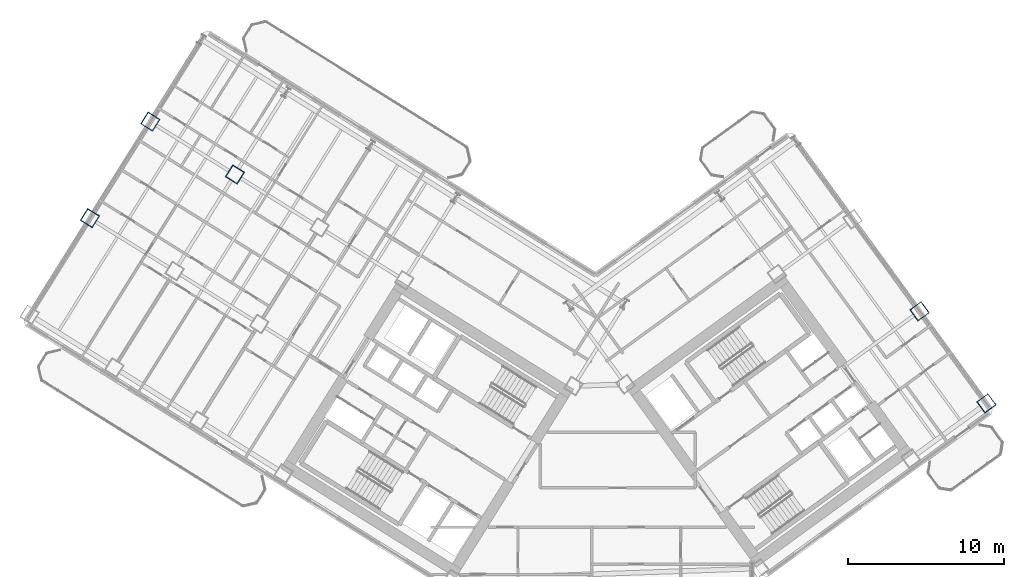
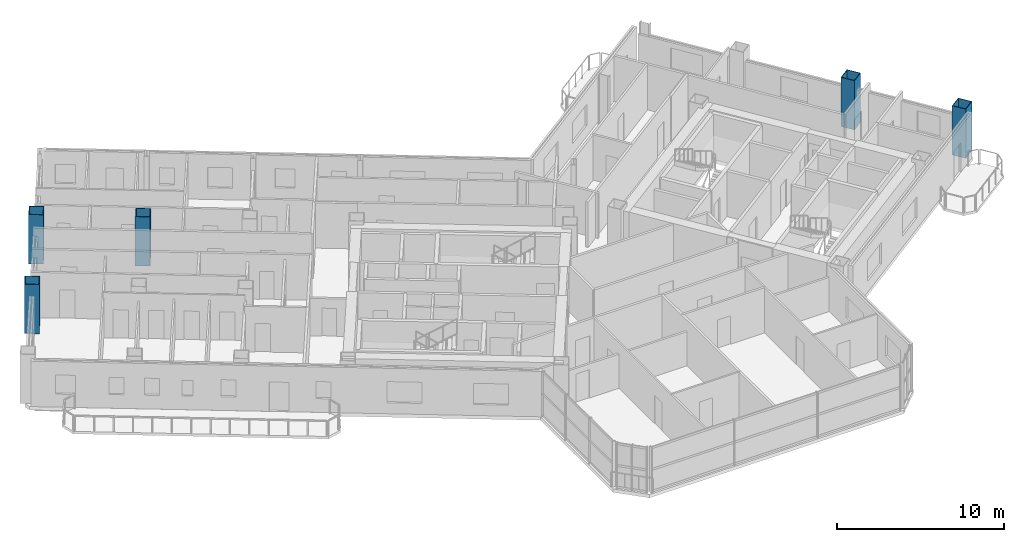
# One storey, part 2 of 22: 5 columns.
"""IFC4 building model written with IfcOpenShell, lengths in metres."""

import ifcopenshell
import ifcopenshell.guid

model = None  # the IFC model being written
_history = None  # IfcOwnerHistory: only IFC2X3 demands one
_inside = {}  # id of a spatial element -> (the spatial element, [elements in it])
_under = {}  # id of a project, library or spatial element -> (it, [spatial elements below it])
_declared = {}  # id of a project -> (the project, [libraries it declares])
_typed = {}  # id of a type object -> (the type object, [elements of that type])
_made_of = {}  # id of a material, layer set ... -> (it, [elements and type objects made of it])


def new_model(schema):
    """Start an empty IFC model of exactly this schema.

    Asked for "IFC4X3", IfcOpenShell would pick the latest addendum, in which some entities
    have other attributes; the version numbers below select the first issue.
    IFC2X3 requires an IfcOwnerHistory on every rooted entity: one is made here for all.
    """
    global model, _history
    if schema == "IFC4X3":
        model = ifcopenshell.file(schema_version=(4, 3, 0, 0))
    else:
        model = ifcopenshell.file(schema=schema)
    _inside.clear()
    _under.clear()
    _declared.clear()
    _typed.clear()
    _made_of.clear()
    _history = None
    if model.schema == "IFC2X3":
        org = make("IfcOrganization", Name="unknown")
        user = make(
            "IfcPersonAndOrganization",
            ThePerson=make("IfcPerson", FamilyName="unknown"),
            TheOrganization=org,
        )
        app = make(
            "IfcApplication",
            ApplicationDeveloper=org,
            Version="unknown",
            ApplicationFullName="unknown",
            ApplicationIdentifier="unknown",
        )
        _history = make(
            "IfcOwnerHistory",
            OwningUser=user,
            OwningApplication=app,
            ChangeAction="ADDED",
            CreationDate=0,
        )
    return model


def make(cls, **values):
    """One entity of the class cls with the attributes given. An attribute that is None is left unset."""
    return model.create_entity(
        cls, **{name: value for name, value in values.items() if value is not None}
    )


def rooted(cls, **values):
    """An entity with a GlobalId (a new one), such as an element, a storey or a relation."""
    return make(cls, GlobalId=ifcopenshell.guid.new(), OwnerHistory=_history, **values)


def si_unit(unit_type, name, prefix=None):
    """IfcSIUnit, for example si_unit("LENGTHUNIT", "METRE", prefix="MILLI")."""
    return make("IfcSIUnit", UnitType=unit_type, Prefix=prefix, Name=name)


def assignment(units):
    """IfcUnitAssignment: the units of a project."""
    return None if units is None else make("IfcUnitAssignment", Units=units)


def point(xyz):
    """IfcCartesianPoint."""
    return None if xyz is None else make("IfcCartesianPoint", Coordinates=xyz)


def direction(xyz):
    """IfcDirection."""
    return None if xyz is None else make("IfcDirection", DirectionRatios=xyz)


def frame(location, z_axis=None, x_axis=None):
    """IfcAxis2Placement3D, a coordinate frame: its origin and axes. An axis left out is left unset."""
    return make(
        "IfcAxis2Placement3D",
        Location=point(location),
        Axis=direction(z_axis),
        RefDirection=direction(x_axis),
    )


def frame_2d(location, x_axis=None):
    """IfcAxis2Placement2D, a coordinate frame in the plane: its origin and x axis."""
    return make(
        "IfcAxis2Placement2D", Location=point(location), RefDirection=direction(x_axis)
    )


def origin():
    """The frame at (0, 0, 0) with its axes left unset."""
    return frame((0.0, 0.0, 0.0))


def origin_2d():
    """The frame at (0, 0) in the plane with its x axis left unset."""
    return frame_2d((0.0, 0.0))


def place(relative_to, where):
    """IfcLocalPlacement: puts the frame where relative to a parent placement (None: the world)."""
    return make(
        "IfcLocalPlacement", PlacementRelTo=relative_to, RelativePlacement=where
    )


def context(
    kind, dimensions, precision=None, world=None, true_north=None, identifier=None
):
    """IfcGeometricRepresentationContext, for example the 3D "Model" context."""
    return make(
        "IfcGeometricRepresentationContext",
        ContextIdentifier=identifier,
        ContextType=kind,
        CoordinateSpaceDimension=dimensions,
        Precision=precision,
        WorldCoordinateSystem=world,
        TrueNorth=true_north,
    )


def subcontext(parent, identifier, kind, view, scale=None):
    """IfcGeometricRepresentationSubContext, for example "Body" below "Model"."""
    return make(
        "IfcGeometricRepresentationSubContext",
        ContextIdentifier=identifier,
        ContextType=kind,
        ParentContext=parent,
        TargetScale=scale,
        TargetView=view,
    )


def project(units=None, contexts=None):
    """IfcProject with its units and contexts."""
    return rooted(
        "IfcProject",
        Name="project",
        RepresentationContexts=contexts,
        UnitsInContext=assignment(units),
    )


def spatial(cls, under=None, at=None, **own):
    """A site, building, storey or space (cls), placed at a placement, below another one or the project."""
    s = rooted(cls, ObjectPlacement=at, **own)
    if under is not None:
        _under.setdefault(under.id(), (under, []))[1].append(s)
    return s


def profile(cls, at=None, kind="AREA", **sizes):
    """A parametric profile (cls). Its sizes go by their IFC names, for example OverallWidth=200.0."""
    return make(cls, ProfileType=kind, Position=at, **sizes)


def hollow_rectangle(**sizes):
    """IfcRectangleHollowProfileDef."""
    return profile("IfcRectangleHollowProfileDef", **sizes)


def extrude(swept, where, along, depth):
    """IfcExtrudedAreaSolid: the profile swept, set in the frame where, extruded along a direction by depth."""
    return make(
        "IfcExtrudedAreaSolid",
        SweptArea=swept,
        Position=where,
        ExtrudedDirection=direction(along),
        Depth=depth,
    )


def shape(context_of_items, identifier, shape_type, items):
    """IfcShapeRepresentation: the items that make up one representation, for example the "Body"."""
    return make(
        "IfcShapeRepresentation",
        ContextOfItems=context_of_items,
        RepresentationIdentifier=identifier,
        RepresentationType=shape_type,
        Items=items,
    )


def source(mapping_origin, context_of_items, identifier, shape_type, items):
    """IfcRepresentationMap: a shape defined once, which mapped items show again and again."""
    return make(
        "IfcRepresentationMap",
        MappingOrigin=mapping_origin,
        MappedRepresentation=shape(context_of_items, identifier, shape_type, items),
    )


def transform(
    local_origin,
    x_axis=None,
    y_axis=None,
    z_axis=None,
    scale=None,
    scale2=None,
    scale3=None,
    uniform=True,
):
    """IfcCartesianTransformationOperator3D, or its non-uniform kind. x_axis, y_axis, z_axis: its Axis1, 2, 3."""
    if uniform:
        return make(
            "IfcCartesianTransformationOperator3D",
            Axis1=direction(x_axis),
            Axis2=direction(y_axis),
            LocalOrigin=point(local_origin),
            Scale=scale,
            Axis3=direction(z_axis),
        )
    return make(
        "IfcCartesianTransformationOperator3DnonUniform",
        Axis1=direction(x_axis),
        Axis2=direction(y_axis),
        LocalOrigin=point(local_origin),
        Scale=scale,
        Axis3=direction(z_axis),
        Scale2=scale2,
        Scale3=scale3,
    )


def mapped(mapping_source, mapping_target):
    """IfcMappedItem: shows the shape of a source again, moved by a transform."""
    return make(
        "IfcMappedItem", MappingSource=mapping_source, MappingTarget=mapping_target
    )


def material(Name=None, Category=None):
    """IfcMaterial."""
    return make("IfcMaterial", Name=Name, Category=Category)


def material_profile(
    of_material, cross_section, Name=None, Category=None, Priority=None
):
    """IfcMaterialProfile: a cross section and its material."""
    return make(
        "IfcMaterialProfile",
        Name=Name,
        Material=of_material,
        Profile=cross_section,
        Priority=Priority,
        Category=Category,
    )


def profile_set(profiles, Name=None, composite=None):
    """IfcMaterialProfileSet."""
    return make(
        "IfcMaterialProfileSet",
        Name=Name,
        MaterialProfiles=profiles,
        CompositeProfile=composite,
    )


def made_of(thing, what):
    """Note that an element or type object is made of a material, layer set ...; save() writes the relation."""
    if what is not None:
        _made_of.setdefault(what.id(), (what, []))[1].append(thing)
    return thing


def type_object(cls, material=None, **own):
    """A type object (cls), such as IfcWallType, which elements share."""
    return made_of(rooted(cls, **own), material)


def element(
    cls,
    number,
    at=None,
    inside=None,
    cuts=None,
    type_object=None,
    material=None,
    context=None,
    identifier="Body",
    shape_type=None,
    held_by="IfcProductDefinitionShape",
    body=None,
    shapes=None,
    **own,
):
    """One element of the class cls, such as IfcWall. Its Tag is "e" and its number.

    at: its placement. inside: the storey or other place that contains it. cuts: it is an
    opening in that element (IfcRelVoidsElement). A single representation is given by context,
    identifier, shape_type and body (its items); several are given by shapes. held_by: the class
    of the entity that holds the representations. save() writes the other relations.
    """
    e = rooted(cls, Tag="e%d" % number, ObjectPlacement=at, **own)
    if body is not None:
        shapes = [shape(context, identifier, shape_type, body)]
    if shapes is not None:
        e.Representation = make(held_by, Representations=shapes)
    if inside is not None:
        _inside.setdefault(inside.id(), (inside, []))[1].append(e)
    if cuts is not None:
        rooted(
            "IfcRelVoidsElement", RelatingBuildingElement=cuts, RelatedOpeningElement=e
        )
    if type_object is not None:
        _typed.setdefault(type_object.id(), (type_object, []))[1].append(e)
    return made_of(e, material)


def aggregate(whole, parts):
    """IfcRelAggregates: a whole, such as a stair, and the parts it consists of."""
    return rooted("IfcRelAggregates", RelatingObject=whole, RelatedObjects=parts)


def save(model, path):
    """Write the relations noted so far, then the file.

    IfcRelAggregates (storeys below a building ...), IfcRelContainedInSpatialStructure (elements
    in a storey), IfcRelDefinesByType, IfcRelAssociatesMaterial and IfcRelDeclares: one each for
    every whole, place, type object, material and project.
    """
    for whole, parts in _under.values():
        aggregate(whole, parts)
    for where, things in _inside.values():
        rooted(
            "IfcRelContainedInSpatialStructure",
            RelatedElements=things,
            RelatingStructure=where,
        )
    for kind, things in _typed.values():
        rooted("IfcRelDefinesByType", RelatedObjects=things, RelatingType=kind)
    for what, things in _made_of.values():
        rooted("IfcRelAssociatesMaterial", RelatedObjects=things, RelatingMaterial=what)
    for by, libraries in _declared.values():
        rooted("IfcRelDeclares", RelatingContext=by, RelatedDefinitions=libraries)
    model.write(path)


model = new_model("IFC4")

# Units and contexts
model_context = context("Model", 3, precision=1e-05, world=origin(), true_north=direction((0.0, 1.0)))
body_context = subcontext(model_context, "Body", "Model", "MODEL_VIEW")
ifc_project = project(units=[si_unit("LENGTHUNIT", "METRE"), si_unit("AREAUNIT", "SQUARE_METRE"), si_unit("VOLUMEUNIT", "CUBIC_METRE"), si_unit("PLANEANGLEUNIT", "RADIAN"), si_unit("MASSUNIT", "GRAM", prefix="KILO")], contexts=[model_context])

# Site, building, storey
site_placement = place(None, origin())
site = spatial("IfcSite", under=ifc_project, at=site_placement, CompositionType="ELEMENT")
building_placement = place(site_placement, origin())
building = spatial("IfcBuilding", under=site, at=building_placement, Name="Tlacorven Tower", CompositionType="ELEMENT")
storey_placement = place(building_placement, frame((0.0, 0.0, 97.199951171875)))
storey = spatial("IfcBuildingStorey", under=building, at=storey_placement, Name="L24", CompositionType="ELEMENT", Elevation=97.199951171875)

# Columns
ifc_material = material(Name="Steel S460M", Category="steel")
ifc_material_profile = material_profile(ifc_material, hollow_rectangle(XDim=0.89990234375, YDim=0.89990234375, WallThickness=0.035888671875, at=origin_2d()), Name="BOX 900X900X36")
ifc_profile_set = profile_set([ifc_material_profile], Name="Steel S460M")
column_type = type_object("IfcColumnType", Name="COL-TWR-S2", PredefinedType="COLUMN", material=ifc_profile_set)
shared_shape = source(origin(), body_context, "Body", "SweptSolid", [
    extrude(hollow_rectangle(XDim=0.89990234375, YDim=0.89990234375, WallThickness=0.035888671875, at=origin_2d()), origin(), (0.0, 0.0, 1.0), 3.60009765625),
])
for number, where, z_axis, x_axis, name in (
    (1, (19.072998046875, 38.034423828125, 0.0), (0.0, 0.0, 1.0), (-0.848048096156, 0.529919264233, 0.0), "L24 column COL-L24-W5-2"),
    (2, (13.6455078125, 41.42578125, 0.0), (0.0, 0.0, 1.0), (-0.848048096156, 0.529919264233, 0.0), "L24 column COL-L24-W6-2"),
    (3, (9.777099609375, 35.235107421875, 0.0), (0.0, 0.0, 1.0), (-0.848048096156, 0.529919264233, 0.0), "L24 column COL-L24-W6-3"),
    (4, (67.267822265625, 23.353515625, 0.0), (0.0, 0.0, 1.0), (0.809016994375, 0.587785252292, 0.0), "L24 column COL-L24-E4-1"),
    (5, (62.976806640625, 29.25927734375, 0.0), (0.0, 0.0, 1.0), (0.809016994375, 0.587785252292, 0.0), "L24 column COL-L24-E4-2"),
):
    element("IfcColumn", number, at=place(storey_placement, frame(where, z_axis=z_axis, x_axis=x_axis)), inside=storey, type_object=column_type, Name=name, PredefinedType="COLUMN", context=body_context, shape_type="MappedRepresentation", body=[
        mapped(shared_shape, transform((0.0, 0.0, 0.0), scale=1.0)),
    ])

save(model, "model.ifc")
